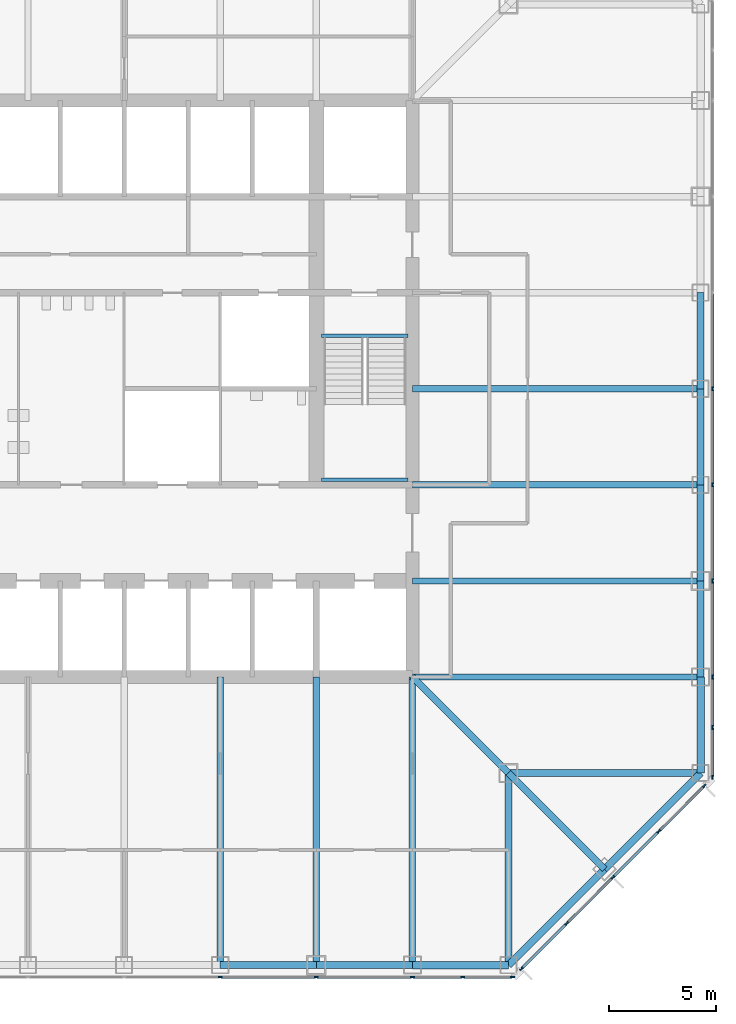
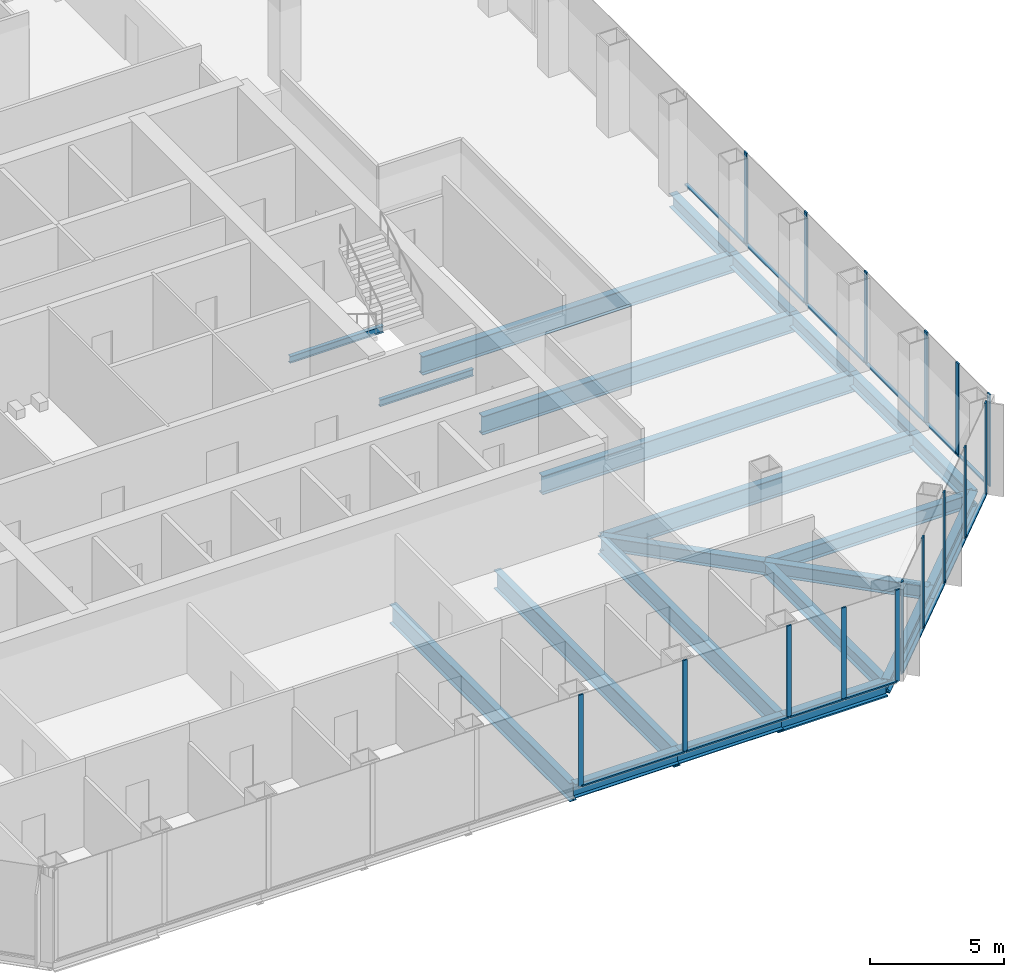
# One storey, part 4 of 13: 30 members, 23 beams, 3 elements without a shape of their own.
"""IFC4 building model written with IfcOpenShell, lengths in metres."""

import ifcopenshell
import ifcopenshell.guid

model = None  # the IFC model being written
_history = None  # IfcOwnerHistory: only IFC2X3 demands one
_inside = {}  # id of a spatial element -> (the spatial element, [elements in it])
_under = {}  # id of a project, library or spatial element -> (it, [spatial elements below it])
_declared = {}  # id of a project -> (the project, [libraries it declares])
_typed = {}  # id of a type object -> (the type object, [elements of that type])
_made_of = {}  # id of a material, layer set ... -> (it, [elements and type objects made of it])


def new_model(schema):
    """Start an empty IFC model of exactly this schema.

    Asked for "IFC4X3", IfcOpenShell would pick the latest addendum, in which some entities
    have other attributes; the version numbers below select the first issue.
    IFC2X3 requires an IfcOwnerHistory on every rooted entity: one is made here for all.
    """
    global model, _history
    if schema == "IFC4X3":
        model = ifcopenshell.file(schema_version=(4, 3, 0, 0))
    else:
        model = ifcopenshell.file(schema=schema)
    _inside.clear()
    _under.clear()
    _declared.clear()
    _typed.clear()
    _made_of.clear()
    _history = None
    if model.schema == "IFC2X3":
        org = make("IfcOrganization", Name="unknown")
        user = make(
            "IfcPersonAndOrganization",
            ThePerson=make("IfcPerson", FamilyName="unknown"),
            TheOrganization=org,
        )
        app = make(
            "IfcApplication",
            ApplicationDeveloper=org,
            Version="unknown",
            ApplicationFullName="unknown",
            ApplicationIdentifier="unknown",
        )
        _history = make(
            "IfcOwnerHistory",
            OwningUser=user,
            OwningApplication=app,
            ChangeAction="ADDED",
            CreationDate=0,
        )
    return model


def make(cls, **values):
    """One entity of the class cls with the attributes given. An attribute that is None is left unset."""
    return model.create_entity(
        cls, **{name: value for name, value in values.items() if value is not None}
    )


def rooted(cls, **values):
    """An entity with a GlobalId (a new one), such as an element, a storey or a relation."""
    return make(cls, GlobalId=ifcopenshell.guid.new(), OwnerHistory=_history, **values)


def si_unit(unit_type, name, prefix=None):
    """IfcSIUnit, for example si_unit("LENGTHUNIT", "METRE", prefix="MILLI")."""
    return make("IfcSIUnit", UnitType=unit_type, Prefix=prefix, Name=name)


def assignment(units):
    """IfcUnitAssignment: the units of a project."""
    return None if units is None else make("IfcUnitAssignment", Units=units)


def point(xyz):
    """IfcCartesianPoint."""
    return None if xyz is None else make("IfcCartesianPoint", Coordinates=xyz)


def direction(xyz):
    """IfcDirection."""
    return None if xyz is None else make("IfcDirection", DirectionRatios=xyz)


def frame(location, z_axis=None, x_axis=None):
    """IfcAxis2Placement3D, a coordinate frame: its origin and axes. An axis left out is left unset."""
    return make(
        "IfcAxis2Placement3D",
        Location=point(location),
        Axis=direction(z_axis),
        RefDirection=direction(x_axis),
    )


def frame_2d(location, x_axis=None):
    """IfcAxis2Placement2D, a coordinate frame in the plane: its origin and x axis."""
    return make(
        "IfcAxis2Placement2D", Location=point(location), RefDirection=direction(x_axis)
    )


def origin():
    """The frame at (0, 0, 0) with its axes left unset."""
    return frame((0.0, 0.0, 0.0))


def origin_2d():
    """The frame at (0, 0) in the plane with its x axis left unset."""
    return frame_2d((0.0, 0.0))


def place(relative_to, where):
    """IfcLocalPlacement: puts the frame where relative to a parent placement (None: the world)."""
    return make(
        "IfcLocalPlacement", PlacementRelTo=relative_to, RelativePlacement=where
    )


def context(
    kind, dimensions, precision=None, world=None, true_north=None, identifier=None
):
    """IfcGeometricRepresentationContext, for example the 3D "Model" context."""
    return make(
        "IfcGeometricRepresentationContext",
        ContextIdentifier=identifier,
        ContextType=kind,
        CoordinateSpaceDimension=dimensions,
        Precision=precision,
        WorldCoordinateSystem=world,
        TrueNorth=true_north,
    )


def subcontext(parent, identifier, kind, view, scale=None):
    """IfcGeometricRepresentationSubContext, for example "Body" below "Model"."""
    return make(
        "IfcGeometricRepresentationSubContext",
        ContextIdentifier=identifier,
        ContextType=kind,
        ParentContext=parent,
        TargetScale=scale,
        TargetView=view,
    )


def project(units=None, contexts=None):
    """IfcProject with its units and contexts."""
    return rooted(
        "IfcProject",
        Name="project",
        RepresentationContexts=contexts,
        UnitsInContext=assignment(units),
    )


def spatial(cls, under=None, at=None, **own):
    """A site, building, storey or space (cls), placed at a placement, below another one or the project."""
    s = rooted(cls, ObjectPlacement=at, **own)
    if under is not None:
        _under.setdefault(under.id(), (under, []))[1].append(s)
    return s


def profile(cls, at=None, kind="AREA", **sizes):
    """A parametric profile (cls). Its sizes go by their IFC names, for example OverallWidth=200.0."""
    return make(cls, ProfileType=kind, Position=at, **sizes)


def rectangle(**sizes):
    """IfcRectangleProfileDef."""
    return profile("IfcRectangleProfileDef", **sizes)


def i_section(**sizes):
    """IfcIShapeProfileDef."""
    return profile("IfcIShapeProfileDef", **sizes)


def extrude(swept, where, along, depth):
    """IfcExtrudedAreaSolid: the profile swept, set in the frame where, extruded along a direction by depth."""
    return make(
        "IfcExtrudedAreaSolid",
        SweptArea=swept,
        Position=where,
        ExtrudedDirection=direction(along),
        Depth=depth,
    )


def shape(context_of_items, identifier, shape_type, items):
    """IfcShapeRepresentation: the items that make up one representation, for example the "Body"."""
    return make(
        "IfcShapeRepresentation",
        ContextOfItems=context_of_items,
        RepresentationIdentifier=identifier,
        RepresentationType=shape_type,
        Items=items,
    )


def material(Name=None, Category=None):
    """IfcMaterial."""
    return make("IfcMaterial", Name=Name, Category=Category)


def material_profile(
    of_material, cross_section, Name=None, Category=None, Priority=None
):
    """IfcMaterialProfile: a cross section and its material."""
    return make(
        "IfcMaterialProfile",
        Name=Name,
        Material=of_material,
        Profile=cross_section,
        Priority=Priority,
        Category=Category,
    )


def profile_set(profiles, Name=None, composite=None):
    """IfcMaterialProfileSet."""
    return make(
        "IfcMaterialProfileSet",
        Name=Name,
        MaterialProfiles=profiles,
        CompositeProfile=composite,
    )


def made_of(thing, what):
    """Note that an element or type object is made of a material, layer set ...; save() writes the relation."""
    if what is not None:
        _made_of.setdefault(what.id(), (what, []))[1].append(thing)
    return thing


def type_object(cls, material=None, **own):
    """A type object (cls), such as IfcWallType, which elements share."""
    return made_of(rooted(cls, **own), material)


def element(
    cls,
    number,
    at=None,
    inside=None,
    cuts=None,
    type_object=None,
    material=None,
    context=None,
    identifier="Body",
    shape_type=None,
    held_by="IfcProductDefinitionShape",
    body=None,
    shapes=None,
    **own,
):
    """One element of the class cls, such as IfcWall. Its Tag is "e" and its number.

    at: its placement. inside: the storey or other place that contains it. cuts: it is an
    opening in that element (IfcRelVoidsElement). A single representation is given by context,
    identifier, shape_type and body (its items); several are given by shapes. held_by: the class
    of the entity that holds the representations. save() writes the other relations.
    """
    e = rooted(cls, Tag="e%d" % number, ObjectPlacement=at, **own)
    if body is not None:
        shapes = [shape(context, identifier, shape_type, body)]
    if shapes is not None:
        e.Representation = make(held_by, Representations=shapes)
    if inside is not None:
        _inside.setdefault(inside.id(), (inside, []))[1].append(e)
    if cuts is not None:
        rooted(
            "IfcRelVoidsElement", RelatingBuildingElement=cuts, RelatedOpeningElement=e
        )
    if type_object is not None:
        _typed.setdefault(type_object.id(), (type_object, []))[1].append(e)
    return made_of(e, material)


def aggregate(whole, parts):
    """IfcRelAggregates: a whole, such as a stair, and the parts it consists of."""
    return rooted("IfcRelAggregates", RelatingObject=whole, RelatedObjects=parts)


def save(model, path):
    """Write the relations noted so far, then the file.

    IfcRelAggregates (storeys below a building ...), IfcRelContainedInSpatialStructure (elements
    in a storey), IfcRelDefinesByType, IfcRelAssociatesMaterial and IfcRelDeclares: one each for
    every whole, place, type object, material and project.
    """
    for whole, parts in _under.values():
        aggregate(whole, parts)
    for where, things in _inside.values():
        rooted(
            "IfcRelContainedInSpatialStructure",
            RelatedElements=things,
            RelatingStructure=where,
        )
    for kind, things in _typed.values():
        rooted("IfcRelDefinesByType", RelatedObjects=things, RelatingType=kind)
    for what, things in _made_of.values():
        rooted("IfcRelAssociatesMaterial", RelatedObjects=things, RelatingMaterial=what)
    for by, libraries in _declared.values():
        rooted("IfcRelDeclares", RelatingContext=by, RelatedDefinitions=libraries)
    model.write(path)


model = new_model("IFC4")

# Units and contexts
model_context = context("Model", 3, precision=1e-05, world=origin(), true_north=direction((0.0, 1.0)))
body_context = subcontext(model_context, "Body", "Model", "MODEL_VIEW")
ifc_project = project(units=[si_unit("LENGTHUNIT", "METRE"), si_unit("AREAUNIT", "SQUARE_METRE"), si_unit("VOLUMEUNIT", "CUBIC_METRE"), si_unit("PLANEANGLEUNIT", "RADIAN"), si_unit("MASSUNIT", "GRAM", prefix="KILO")], contexts=[model_context])

# Site, building, storey
site_placement = place(None, origin())
site = spatial("IfcSite", under=ifc_project, at=site_placement, CompositionType="ELEMENT")
building_placement = place(site_placement, origin())
building = spatial("IfcBuilding", under=site, at=building_placement, Name="Corais Broadcast Tower", CompositionType="ELEMENT")
storey_placement = place(building_placement, frame((0.0, 0.0, 79.39990234375)))
storey = spatial("IfcBuildingStorey", under=building, at=storey_placement, Name="L17", CompositionType="ELEMENT", Elevation=79.39990234375)

# Beams
ifc_material_1 = material(Name="Steel ASTM A572 Grade 50", Category="steel")
ifc_material_profile_1 = material_profile(ifc_material_1, i_section(OverallWidth=0.323974609375, OverallDepth=0.611083984375, WebThickness=0.0126953125, FlangeThickness=0.01904296875, at=origin_2d()), Name="W610x155")
ifc_profile_set_1 = profile_set([ifc_material_profile_1], Name="Steel ASTM A572 Grade 50")
beam_type_1 = type_object("IfcBeamType", Name="Chamfer tie W610x155", PredefinedType="BEAM", material=ifc_profile_set_1)
beam_1_placement = place(storey_placement, frame((49.5, 4.5, -0.46533203125), z_axis=(-0.707106781187, 0.707106781187, 0.0), x_axis=(-0.707106781187, -0.707106781187, 0.0)))
element("IfcBeam", 1, at=beam_1_placement, inside=storey, type_object=beam_type_1, Name="B5 B/14 to C/13", PredefinedType="BEAM", context=body_context, shape_type="SweptSolid", body=[
    extrude(i_section(OverallWidth=0.323974609375, OverallDepth=0.611083984375, WebThickness=0.0126953125, FlangeThickness=0.01904296875, at=origin_2d()), origin(), (0.0, 0.0, 1.0), 6.364013671875),
])
ifc_material_2 = material(Name="Steel ASTM A572 Grade 50", Category="steel")
ifc_material_profile_2 = material_profile(ifc_material_2, i_section(OverallWidth=0.323974609375, OverallDepth=0.611083984375, WebThickness=0.0126953125, FlangeThickness=0.01904296875, at=origin_2d()), Name="W610x155")
ifc_profile_set_2 = profile_set([ifc_material_profile_2], Name="Steel ASTM A572 Grade 50")
beam_type_2 = type_object("IfcBeamType", Name="Corner diagonal W610x155", PredefinedType="BEAM", material=ifc_profile_set_2)
beam_2_placement = place(storey_placement, frame((45.0, 9.0, -0.46533203125), z_axis=(-0.707106781187, 0.707106781187, 0.0), x_axis=(-0.707106781187, -0.707106781187, 0.0)))
element("IfcBeam", 2, at=beam_2_placement, inside=storey, type_object=beam_type_2, Name="B6 C/13 to D/12", PredefinedType="BEAM", context=body_context, shape_type="SweptSolid", body=[
    extrude(i_section(OverallWidth=0.323974609375, OverallDepth=0.611083984375, WebThickness=0.0126953125, FlangeThickness=0.01904296875, at=origin_2d()), origin(), (0.0, 0.0, 1.0), 6.364013671875),
])
ifc_material_3 = material(Name="Steel ASTM A572 Grade 50", Category="steel")
ifc_material_profile_3 = material_profile(ifc_material_3, i_section(OverallWidth=0.323974609375, OverallDepth=0.611083984375, WebThickness=0.0126953125, FlangeThickness=0.01904296875, at=origin_2d()), Name="W610x155")
ifc_profile_set_3 = profile_set([ifc_material_profile_3], Name="Steel ASTM A572 Grade 50")
beam_type_3 = type_object("IfcBeamType", Name="Corner girder W610x155", PredefinedType="BEAM", material=ifc_profile_set_3)
for number, where, z_axis, x_axis, name in (
    (3, (45.0, 0.0, -0.46533203125), (0.0, 1.0, 0.0), (-1.0, 0.0, 0.0), "B4 A/13 to C/13"),
    (4, (54.0, 9.0, -0.46533203125), (-1.0, 0.0, 0.0), (0.0, -1.0, 0.0), "B4 C/15 to C/13"),
):
    element("IfcBeam", number, at=place(storey_placement, frame(where, z_axis=z_axis, x_axis=x_axis)), inside=storey, type_object=beam_type_3, Name=name, PredefinedType="BEAM", context=body_context, shape_type="SweptSolid", body=[
        extrude(i_section(OverallWidth=0.323974609375, OverallDepth=0.611083984375, WebThickness=0.0126953125, FlangeThickness=0.01904296875, at=origin_2d()), origin(), (0.0, 0.0, 1.0), 9.0),
    ])
ifc_material_4 = material(Name="Steel ASTM A913 Grade 65", Category="steel")
ifc_material_profile_4 = material_profile(ifc_material_4, i_section(OverallWidth=0.347900390625, OverallDepth=0.7109375, WebThickness=0.03857421875, FlangeThickness=0.069091796875, at=origin_2d()), Name="W610x551")
ifc_profile_set_4 = profile_set([ifc_material_profile_4], Name="Steel ASTM A913 Grade 65")
beam_type_4 = type_object("IfcBeamType", Name="Corner spandrel W610x551", PredefinedType="BEAM", material=ifc_profile_set_4)
for number, where, z_axis, x_axis, name in (
    (5, (40.5, 0.0, -0.515380859375), (1.0, 0.0, 0.0), (0.0, 1.0, 0.0), "SB11 A/12 to A/13"),
    (6, (54.0, 9.0, -0.515380859375), (0.0, 1.0, 0.0), (-1.0, 0.0, 0.0), "SB11 C/15 to D/15"),
):
    element("IfcBeam", number, at=place(storey_placement, frame(where, z_axis=z_axis, x_axis=x_axis)), inside=storey, type_object=beam_type_4, Name=name, PredefinedType="BEAM", context=body_context, shape_type="SweptSolid", body=[
        extrude(i_section(OverallWidth=0.347900390625, OverallDepth=0.7109375, WebThickness=0.03857421875, FlangeThickness=0.069091796875, at=origin_2d()), origin(), (0.0, 0.0, 1.0), 4.5),
    ])
ifc_material_5 = material(Name="Steel ASTM A572 Grade 50", Category="steel")
ifc_material_profile_5 = material_profile(ifc_material_5, i_section(OverallWidth=0.2939453125, OverallDepth=0.85107421875, WebThickness=0.01611328125, FlangeThickness=0.02685546875, at=origin_2d()), Name="W840x226")
ifc_profile_set_5 = profile_set([ifc_material_profile_5], Name="Steel ASTM A572 Grade 50")
beam_type_5 = type_object("IfcBeamType", Name="Floor beam W840x226", PredefinedType="BEAM", material=ifc_profile_set_5)
for number, where, z_axis, x_axis, name in (
    (7, (31.5, 0.0, -0.58544921875), (0.0, 1.0, 0.0), (-1.0, 0.0, 0.0), "B1 A/10 to D/10"),
    (8, (36.0, 0.0, -0.58544921875), (0.0, 1.0, 0.0), (-1.0, 0.0, 0.0), "B1 A/11 to D/11"),
    (9, (40.5, 0.0, -0.58544921875), (0.0, 1.0, 0.0), (-1.0, 0.0, 0.0), "B1 A/12 to D/12"),
    (10, (54.0, 13.5, -0.58544921875), (-1.0, 0.0, 0.0), (0.0, -1.0, 0.0), "B1 D/15 to D/12"),
    (11, (54.0, 18.0, -0.58544921875), (-1.0, 0.0, 0.0), (0.0, -1.0, 0.0), "B1 E/15 to E/12"),
    (12, (54.0, 22.5, -0.58544921875), (-1.0, 0.0, 0.0), (0.0, -1.0, 0.0), "B1 F/15 to F/12"),
    (13, (54.0, 27.0, -0.58544921875), (-1.0, 0.0, 0.0), (0.0, -1.0, 0.0), "B1 G/15 to G/12"),
):
    element("IfcBeam", number, at=place(storey_placement, frame(where, z_axis=z_axis, x_axis=x_axis)), inside=storey, type_object=beam_type_5, Name=name, PredefinedType="BEAM", context=body_context, shape_type="SweptSolid", body=[
        extrude(i_section(OverallWidth=0.2939453125, OverallDepth=0.85107421875, WebThickness=0.01611328125, FlangeThickness=0.02685546875, at=origin_2d()), origin(), (0.0, 0.0, 1.0), 13.5),
    ])
ifc_material_6 = material(Name="Steel ASTM A572 Grade 50", Category="steel")
ifc_material_profile_6 = material_profile(ifc_material_6, i_section(OverallWidth=0.1650390625, OverallDepth=0.31005859375, WebThickness=0.005859375, FlangeThickness=0.009765625, at=origin_2d()), Name="W310x38.7")
ifc_profile_set_6 = profile_set([ifc_material_profile_6], Name="Steel ASTM A572 Grade 50")
beam_type_6 = type_object("IfcBeamType", Name="Landing trimmer W310x38.7", PredefinedType="BEAM", material=ifc_profile_set_6)
for number, where, z_axis, x_axis, name in (
    (14, (36.25, 29.47509765625, -0.35498046875), (1.0, 0.0, 0.0), (0.0, 1.0, 0.0), "LT1 stair B landing trimmer L17"),
    (15, (36.25, 22.739990234375, 1.7451171875), (1.0, 0.0, 0.0), (0.0, 1.0, 0.0), "LT1 stair B half landing trimmer L17"),
):
    element("IfcBeam", number, at=place(storey_placement, frame(where, z_axis=z_axis, x_axis=x_axis)), inside=storey, type_object=beam_type_6, Name=name, PredefinedType="BEAM", context=body_context, shape_type="SweptSolid", body=[
        extrude(i_section(OverallWidth=0.1650390625, OverallDepth=0.31005859375, WebThickness=0.005859375, FlangeThickness=0.009765625, at=origin_2d()), origin(), (0.0, 0.0, 1.0), 4.050048828125),
    ])

# Curtain wall, members
ifc_material_7 = material(Name="Aluminium and glass", Category="aluminium")
curtain_wall_type = type_object("IfcCurtainWallType", Name="Unitised fritted curtain wall CW1", PredefinedType="NOTDEFINED", material=ifc_material_7)
curtain_wall_1_placement = place(storey_placement, origin())
curtain_wall_1 = element("IfcCurtainWall", 16, at=curtain_wall_1_placement, inside=storey, type_object=curtain_wall_type, Name="CW1 curtain wall L17 6", PredefinedType="NOTDEFINED")
ifc_material_8 = material(Name="Aluminium 6063-T6", Category="aluminium")
ifc_material_profile_7 = material_profile(ifc_material_8, rectangle(XDim=0.06494140625, YDim=0.199951171875, at=origin_2d()), Name="Mullion CW1 65x200")
ifc_profile_set_7 = profile_set([ifc_material_profile_7], Name="Aluminium 6063-T6")
member_type_1 = type_object("IfcMemberType", Name="Mullion CW1 65x200", PredefinedType="MULLION", material=ifc_profile_set_7)
member_1_placement = place(storey_placement, frame((54.550048828125, 27.0, 0.0), z_axis=(0.0, 0.0, 1.0), x_axis=(1.0, 0.0, 0.0)))
member_1 = element("IfcMember", 17, at=member_1_placement, type_object=member_type_1, Name="CW1 mullion 6", PredefinedType="MULLION", context=body_context, shape_type="SweptSolid", body=[
    extrude(rectangle(XDim=0.06494140625, YDim=0.199951171875, at=origin_2d()), origin(), (0.0, 0.0, 1.0), 4.2001953125),
])
member_2_placement = place(storey_placement, frame((54.550048828125, 22.5, 0.0), z_axis=(0.0, 0.0, 1.0), x_axis=(1.0, 0.0, 0.0)))
member_2 = element("IfcMember", 18, at=member_2_placement, type_object=member_type_1, Name="CW1 mullion 7", PredefinedType="MULLION", context=body_context, shape_type="SweptSolid", body=[
    extrude(rectangle(XDim=0.06494140625, YDim=0.199951171875, at=origin_2d()), origin(), (0.0, 0.0, 1.0), 4.2001953125),
])
member_3_placement = place(storey_placement, frame((54.550048828125, 18.0, 0.0), z_axis=(0.0, 0.0, 1.0), x_axis=(1.0, 0.0, 0.0)))
member_3 = element("IfcMember", 19, at=member_3_placement, type_object=member_type_1, Name="CW1 mullion 8", PredefinedType="MULLION", context=body_context, shape_type="SweptSolid", body=[
    extrude(rectangle(XDim=0.06494140625, YDim=0.199951171875, at=origin_2d()), origin(), (0.0, 0.0, 1.0), 4.2001953125),
])
member_4_placement = place(storey_placement, frame((54.550048828125, 13.5, 0.0), z_axis=(0.0, 0.0, 1.0), x_axis=(1.0, 0.0, 0.0)))
member_4 = element("IfcMember", 20, at=member_4_placement, type_object=member_type_1, Name="CW1 mullion 9", PredefinedType="MULLION", context=body_context, shape_type="SweptSolid", body=[
    extrude(rectangle(XDim=0.06494140625, YDim=0.199951171875, at=origin_2d()), origin(), (0.0, 0.0, 1.0), 4.2001953125),
])
member_5_placement = place(storey_placement, frame((54.550048828125, 11.135986328125, 0.0), z_axis=(0.0, 0.0, 1.0), x_axis=(1.0, 0.0, 0.0)))
member_5 = element("IfcMember", 21, at=member_5_placement, type_object=member_type_1, Name="CW1 mullion 10", PredefinedType="MULLION", context=body_context, shape_type="SweptSolid", body=[
    extrude(rectangle(XDim=0.06494140625, YDim=0.199951171875, at=origin_2d()), origin(), (0.0, 0.0, 1.0), 4.2001953125),
])
member_6_placement = place(storey_placement, frame((54.550048828125, 8.8046875, 0.0), z_axis=(0.0, 0.0, 1.0), x_axis=(1.0, 0.0, 0.0)))
member_6 = element("IfcMember", 22, at=member_6_placement, type_object=member_type_1, Name="CW1 mullion 11", PredefinedType="MULLION", context=body_context, shape_type="SweptSolid", body=[
    extrude(rectangle(XDim=0.06494140625, YDim=0.199951171875, at=origin_2d()), origin(), (0.0, 0.0, 1.0), 4.2001953125),
])

curtain_wall_2_placement = place(storey_placement, origin())
curtain_wall_2 = element("IfcCurtainWall", 23, at=curtain_wall_2_placement, inside=storey, type_object=curtain_wall_type, Name="CW1 curtain wall L17 7", PredefinedType="NOTDEFINED")
member_7_placement = place(storey_placement, frame((54.17333984375, 8.3955078125, 0.0), z_axis=(0.0, 0.0, 1.0), x_axis=(0.707106781187, -0.707106781187, 0.0)))
member_7 = element("IfcMember", 24, at=member_7_placement, type_object=member_type_1, Name="CW1 mullion 1", PredefinedType="MULLION", context=body_context, shape_type="SweptSolid", body=[
    extrude(rectangle(XDim=0.06494140625, YDim=0.199951171875, at=origin_2d()), origin(), (0.0, 0.0, 1.0), 4.2001953125),
])
member_8_placement = place(storey_placement, frame((52.042724609375, 6.264892578125, 0.0), z_axis=(0.0, 0.0, 1.0), x_axis=(0.707106781187, -0.707106781187, 0.0)))
member_8 = element("IfcMember", 25, at=member_8_placement, type_object=member_type_1, Name="CW1 mullion 2", PredefinedType="MULLION", context=body_context, shape_type="SweptSolid", body=[
    extrude(rectangle(XDim=0.06494140625, YDim=0.199951171875, at=origin_2d()), origin(), (0.0, 0.0, 1.0), 4.2001953125),
])
member_9_placement = place(storey_placement, frame((49.888916015625, 4.111083984375, 0.0), z_axis=(0.0, 0.0, 1.0), x_axis=(0.707106781187, -0.707106781187, 0.0)))
member_9 = element("IfcMember", 26, at=member_9_placement, type_object=member_type_1, Name="CW1 mullion 3", PredefinedType="MULLION", context=body_context, shape_type="SweptSolid", body=[
    extrude(rectangle(XDim=0.06494140625, YDim=0.199951171875, at=origin_2d()), origin(), (0.0, 0.0, 1.0), 4.2001953125),
])
member_10_placement = place(storey_placement, frame((47.735107421875, 1.957275390625, 0.0), z_axis=(0.0, 0.0, 1.0), x_axis=(0.707106781187, -0.707106781187, 0.0)))
member_10 = element("IfcMember", 27, at=member_10_placement, type_object=member_type_1, Name="CW1 mullion 4", PredefinedType="MULLION", context=body_context, shape_type="SweptSolid", body=[
    extrude(rectangle(XDim=0.06494140625, YDim=0.199951171875, at=origin_2d()), origin(), (0.0, 0.0, 1.0), 4.2001953125),
])
member_11_placement = place(storey_placement, frame((45.6044921875, -0.17333984375, 0.0), z_axis=(0.0, 0.0, 1.0), x_axis=(0.707106781187, -0.707106781187, 0.0)))
member_11 = element("IfcMember", 28, at=member_11_placement, type_object=member_type_1, Name="CW1 mullion 5", PredefinedType="MULLION", context=body_context, shape_type="SweptSolid", body=[
    extrude(rectangle(XDim=0.06494140625, YDim=0.199951171875, at=origin_2d()), origin(), (0.0, 0.0, 1.0), 4.2001953125),
])

curtain_wall_3_placement = place(storey_placement, origin())
curtain_wall_3 = element("IfcCurtainWall", 29, at=curtain_wall_3_placement, inside=storey, type_object=curtain_wall_type, Name="CW1 curtain wall L17 8", PredefinedType="NOTDEFINED")
member_12_placement = place(storey_placement, frame((45.1953125, -0.550048828125, 0.0), z_axis=(0.0, 0.0, 1.0), x_axis=(0.0, -1.0, 0.0)))
member_12 = element("IfcMember", 30, at=member_12_placement, type_object=member_type_1, Name="CW1 mullion 1", PredefinedType="MULLION", context=body_context, shape_type="SweptSolid", body=[
    extrude(rectangle(XDim=0.06494140625, YDim=0.199951171875, at=origin_2d()), origin(), (0.0, 0.0, 1.0), 4.2001953125),
])
member_13_placement = place(storey_placement, frame((42.864013671875, -0.550048828125, 0.0), z_axis=(0.0, 0.0, 1.0), x_axis=(0.0, -1.0, 0.0)))
member_13 = element("IfcMember", 31, at=member_13_placement, type_object=member_type_1, Name="CW1 mullion 2", PredefinedType="MULLION", context=body_context, shape_type="SweptSolid", body=[
    extrude(rectangle(XDim=0.06494140625, YDim=0.199951171875, at=origin_2d()), origin(), (0.0, 0.0, 1.0), 4.2001953125),
])
member_14_placement = place(storey_placement, frame((40.5, -0.550048828125, 0.0), z_axis=(0.0, 0.0, 1.0), x_axis=(0.0, -1.0, 0.0)))
member_14 = element("IfcMember", 32, at=member_14_placement, type_object=member_type_1, Name="CW1 mullion 3", PredefinedType="MULLION", context=body_context, shape_type="SweptSolid", body=[
    extrude(rectangle(XDim=0.06494140625, YDim=0.199951171875, at=origin_2d()), origin(), (0.0, 0.0, 1.0), 4.2001953125),
])
member_15_placement = place(storey_placement, frame((36.0, -0.550048828125, 0.0), z_axis=(0.0, 0.0, 1.0), x_axis=(0.0, -1.0, 0.0)))
member_15 = element("IfcMember", 33, at=member_15_placement, type_object=member_type_1, Name="CW1 mullion 4", PredefinedType="MULLION", context=body_context, shape_type="SweptSolid", body=[
    extrude(rectangle(XDim=0.06494140625, YDim=0.199951171875, at=origin_2d()), origin(), (0.0, 0.0, 1.0), 4.2001953125),
])
member_16_placement = place(storey_placement, frame((31.5, -0.550048828125, 0.0), z_axis=(0.0, 0.0, 1.0), x_axis=(0.0, -1.0, 0.0)))
member_16 = element("IfcMember", 34, at=member_16_placement, type_object=member_type_1, Name="CW1 mullion 5", PredefinedType="MULLION", context=body_context, shape_type="SweptSolid", body=[
    extrude(rectangle(XDim=0.06494140625, YDim=0.199951171875, at=origin_2d()), origin(), (0.0, 0.0, 1.0), 4.2001953125),
])

# Beams
ifc_material_9 = material(Name="Steel ASTM A572 Grade 50", Category="steel")
ifc_material_profile_8 = material_profile(ifc_material_9, i_section(OverallWidth=0.3291015625, OverallDepth=0.635009765625, WebThickness=0.017822265625, FlangeThickness=0.031005859375, at=origin_2d()), Name="W610x241")
ifc_profile_set_8 = profile_set([ifc_material_profile_8], Name="Steel ASTM A572 Grade 50")
beam_type_7 = type_object("IfcBeamType", Name="Spandrel W610x241", PredefinedType="BEAM", material=ifc_profile_set_8)
for number, where, z_axis, x_axis, name in (
    (35, (31.5, 0.0, -0.477294921875), (1.0, 0.0, 0.0), (0.0, 1.0, 0.0), "SB1 A/10 to A/11"),
    (36, (36.0, 0.0, -0.477294921875), (1.0, 0.0, 0.0), (0.0, 1.0, 0.0), "SB1 A/11 to A/12"),
):
    element("IfcBeam", number, at=place(storey_placement, frame(where, z_axis=z_axis, x_axis=x_axis)), inside=storey, type_object=beam_type_7, Name=name, PredefinedType="BEAM", context=body_context, shape_type="SweptSolid", body=[
        extrude(i_section(OverallWidth=0.3291015625, OverallDepth=0.635009765625, WebThickness=0.017822265625, FlangeThickness=0.031005859375, at=origin_2d()), origin(), (0.0, 0.0, 1.0), 4.5),
    ])
for number, where, z_axis, x_axis, name in (
    (37, (45.0, 0.0, -0.477294921875), (0.707106781187, 0.707106781187, 0.0), (-0.707106781187, 0.707106781187, 0.0), "SB1 A/13 to B/14"),
    (38, (49.5, 4.5, -0.477294921875), (0.707106781187, 0.707106781187, 0.0), (-0.707106781187, 0.707106781187, 0.0), "SB1 B/14 to C/15"),
):
    element("IfcBeam", number, at=place(storey_placement, frame(where, z_axis=z_axis, x_axis=x_axis)), inside=storey, type_object=beam_type_7, Name=name, PredefinedType="BEAM", context=body_context, shape_type="SweptSolid", body=[
        extrude(i_section(OverallWidth=0.3291015625, OverallDepth=0.635009765625, WebThickness=0.017822265625, FlangeThickness=0.031005859375, at=origin_2d()), origin(), (0.0, 0.0, 1.0), 6.364013671875),
    ])
for number, where, z_axis, x_axis, name in (
    (39, (54.0, 13.5, -0.477294921875), (0.0, 1.0, 0.0), (-1.0, 0.0, 0.0), "SB1 D/15 to E/15"),
    (40, (54.0, 18.0, -0.477294921875), (0.0, 1.0, 0.0), (-1.0, 0.0, 0.0), "SB1 E/15 to F/15"),
    (41, (54.0, 22.5, -0.477294921875), (0.0, 1.0, 0.0), (-1.0, 0.0, 0.0), "SB1 F/15 to G/15"),
    (42, (54.0, 27.0, -0.477294921875), (0.0, 1.0, 0.0), (-1.0, 0.0, 0.0), "SB1 G/15 to H/15"),
):
    element("IfcBeam", number, at=place(storey_placement, frame(where, z_axis=z_axis, x_axis=x_axis)), inside=storey, type_object=beam_type_7, Name=name, PredefinedType="BEAM", context=body_context, shape_type="SweptSolid", body=[
        extrude(i_section(OverallWidth=0.3291015625, OverallDepth=0.635009765625, WebThickness=0.017822265625, FlangeThickness=0.031005859375, at=origin_2d()), origin(), (0.0, 0.0, 1.0), 4.5),
    ])

# Member
ifc_material_10 = material(Name="Aluminium 6063-T6", Category="aluminium")
ifc_material_profile_9 = material_profile(ifc_material_10, rectangle(XDim=0.139892578125, YDim=0.06494140625, at=origin_2d()), Name="Transom CW1 65x140")
ifc_profile_set_9 = profile_set([ifc_material_profile_9], Name="Aluminium 6063-T6")
member_type_2 = type_object("IfcMemberType", Name="Transom CW1 65x140", PredefinedType="USERDEFINED", material=ifc_profile_set_9)
member_17_placement = place(storey_placement, frame((54.550048828125, 31.467529296875, 0.03271484375), z_axis=(0.0, -1.0, 0.0), x_axis=(1.0, 0.0, 0.0)))
member_17 = element("IfcMember", 43, at=member_17_placement, type_object=member_type_2, Name="CW1 transom 5.1", ObjectType="TRANSOM", PredefinedType="USERDEFINED", context=body_context, shape_type="SweptSolid", body=[
    extrude(rectangle(XDim=0.139892578125, YDim=0.06494140625, at=origin_2d()), origin(), (0.0, 0.0, 1.0), 4.43505859375),
])

member_18_placement = place(storey_placement, frame((54.550048828125, 26.967529296875, 0.03271484375), z_axis=(0.0, -1.0, 0.0), x_axis=(1.0, 0.0, 0.0)))
member_18 = element("IfcMember", 44, at=member_18_placement, type_object=member_type_2, Name="CW1 transom 6.1", ObjectType="TRANSOM", PredefinedType="USERDEFINED", context=body_context, shape_type="SweptSolid", body=[
    extrude(rectangle(XDim=0.139892578125, YDim=0.06494140625, at=origin_2d()), origin(), (0.0, 0.0, 1.0), 4.43505859375),
])

member_19_placement = place(storey_placement, frame((54.550048828125, 22.467529296875, 0.03271484375), z_axis=(0.0, -1.0, 0.0), x_axis=(1.0, 0.0, 0.0)))
member_19 = element("IfcMember", 45, at=member_19_placement, type_object=member_type_2, Name="CW1 transom 7.1", ObjectType="TRANSOM", PredefinedType="USERDEFINED", context=body_context, shape_type="SweptSolid", body=[
    extrude(rectangle(XDim=0.139892578125, YDim=0.06494140625, at=origin_2d()), origin(), (0.0, 0.0, 1.0), 4.43505859375),
])

member_20_placement = place(storey_placement, frame((54.550048828125, 17.967529296875, 0.03271484375), z_axis=(0.0, -1.0, 0.0), x_axis=(1.0, 0.0, 0.0)))
member_20 = element("IfcMember", 46, at=member_20_placement, type_object=member_type_2, Name="CW1 transom 8.1", ObjectType="TRANSOM", PredefinedType="USERDEFINED", context=body_context, shape_type="SweptSolid", body=[
    extrude(rectangle(XDim=0.139892578125, YDim=0.06494140625, at=origin_2d()), origin(), (0.0, 0.0, 1.0), 4.43505859375),
])

member_21_placement = place(storey_placement, frame((54.550048828125, 13.467529296875, 0.03271484375), z_axis=(0.0, -1.0, 0.0), x_axis=(1.0, 0.0, 0.0)))
member_21 = element("IfcMember", 47, at=member_21_placement, type_object=member_type_2, Name="CW1 transom 9.1", ObjectType="TRANSOM", PredefinedType="USERDEFINED", context=body_context, shape_type="SweptSolid", body=[
    extrude(rectangle(XDim=0.139892578125, YDim=0.06494140625, at=origin_2d()), origin(), (0.0, 0.0, 1.0), 2.298828125),
])

member_22_placement = place(storey_placement, frame((54.550048828125, 11.103515625, 0.03271484375), z_axis=(0.0, -1.0, 0.0), x_axis=(1.0, 0.0, 0.0)))
member_22 = element("IfcMember", 48, at=member_22_placement, type_object=member_type_2, Name="CW1 transom 10.1", ObjectType="TRANSOM", PredefinedType="USERDEFINED", context=body_context, shape_type="SweptSolid", body=[
    extrude(rectangle(XDim=0.139892578125, YDim=0.06494140625, at=origin_2d()), origin(), (0.0, 0.0, 1.0), 2.266357421875),
])

aggregate(curtain_wall_1, [member_1, member_2, member_3, member_4, member_5, member_6, member_17, member_18, member_19, member_20, member_21, member_22])

member_23_placement = place(storey_placement, frame((54.150390625, 8.37255859375, 0.03271484375), z_axis=(-0.707106781187, -0.707106781187, 0.0), x_axis=(0.707106781187, -0.707106781187, 0.0)))
member_23 = element("IfcMember", 49, at=member_23_placement, type_object=member_type_2, Name="CW1 transom 1.1", ObjectType="TRANSOM", PredefinedType="USERDEFINED", context=body_context, shape_type="SweptSolid", body=[
    extrude(rectangle(XDim=0.139892578125, YDim=0.06494140625, at=origin_2d()), origin(), (0.0, 0.0, 1.0), 2.9482421875),
])

member_24_placement = place(storey_placement, frame((52.019775390625, 6.241943359375, 0.03271484375), z_axis=(-0.707106781187, -0.707106781187, 0.0), x_axis=(0.707106781187, -0.707106781187, 0.0)))
member_24 = element("IfcMember", 50, at=member_24_placement, type_object=member_type_2, Name="CW1 transom 2.1", ObjectType="TRANSOM", PredefinedType="USERDEFINED", context=body_context, shape_type="SweptSolid", body=[
    extrude(rectangle(XDim=0.139892578125, YDim=0.06494140625, at=origin_2d()), origin(), (0.0, 0.0, 1.0), 2.98095703125),
])

member_25_placement = place(storey_placement, frame((49.865966796875, 4.088134765625, 0.03271484375), z_axis=(-0.707106781187, -0.707106781187, 0.0), x_axis=(0.707106781187, -0.707106781187, 0.0)))
member_25 = element("IfcMember", 51, at=member_25_placement, type_object=member_type_2, Name="CW1 transom 3.1", ObjectType="TRANSOM", PredefinedType="USERDEFINED", context=body_context, shape_type="SweptSolid", body=[
    extrude(rectangle(XDim=0.139892578125, YDim=0.06494140625, at=origin_2d()), origin(), (0.0, 0.0, 1.0), 2.98095703125),
])

member_26_placement = place(storey_placement, frame((47.712158203125, 1.934326171875, 0.03271484375), z_axis=(-0.707106781187, -0.707106781187, 0.0), x_axis=(0.707106781187, -0.707106781187, 0.0)))
member_26 = element("IfcMember", 52, at=member_26_placement, type_object=member_type_2, Name="CW1 transom 4.1", ObjectType="TRANSOM", PredefinedType="USERDEFINED", context=body_context, shape_type="SweptSolid", body=[
    extrude(rectangle(XDim=0.139892578125, YDim=0.06494140625, at=origin_2d()), origin(), (0.0, 0.0, 1.0), 2.9482421875),
])

aggregate(curtain_wall_2, [member_7, member_8, member_9, member_10, member_11, member_23, member_24, member_25, member_26])

member_27_placement = place(storey_placement, frame((45.162841796875, -0.550048828125, 0.03271484375), z_axis=(-1.0, 0.0, 0.0), x_axis=(0.0, -1.0, 0.0)))
member_27 = element("IfcMember", 53, at=member_27_placement, type_object=member_type_2, Name="CW1 transom 1.1", ObjectType="TRANSOM", PredefinedType="USERDEFINED", context=body_context, shape_type="SweptSolid", body=[
    extrude(rectangle(XDim=0.139892578125, YDim=0.06494140625, at=origin_2d()), origin(), (0.0, 0.0, 1.0), 2.266357421875),
])

member_28_placement = place(storey_placement, frame((42.831298828125, -0.550048828125, 0.03271484375), z_axis=(-1.0, 0.0, 0.0), x_axis=(0.0, -1.0, 0.0)))
member_28 = element("IfcMember", 54, at=member_28_placement, type_object=member_type_2, Name="CW1 transom 2.1", ObjectType="TRANSOM", PredefinedType="USERDEFINED", context=body_context, shape_type="SweptSolid", body=[
    extrude(rectangle(XDim=0.139892578125, YDim=0.06494140625, at=origin_2d()), origin(), (0.0, 0.0, 1.0), 2.298828125),
])

member_29_placement = place(storey_placement, frame((40.467529296875, -0.550048828125, 0.03271484375), z_axis=(-1.0, 0.0, 0.0), x_axis=(0.0, -1.0, 0.0)))
member_29 = element("IfcMember", 55, at=member_29_placement, type_object=member_type_2, Name="CW1 transom 3.1", ObjectType="TRANSOM", PredefinedType="USERDEFINED", context=body_context, shape_type="SweptSolid", body=[
    extrude(rectangle(XDim=0.139892578125, YDim=0.06494140625, at=origin_2d()), origin(), (0.0, 0.0, 1.0), 4.43505859375),
])

member_30_placement = place(storey_placement, frame((35.967529296875, -0.550048828125, 0.03271484375), z_axis=(-1.0, 0.0, 0.0), x_axis=(0.0, -1.0, 0.0)))
member_30 = element("IfcMember", 56, at=member_30_placement, type_object=member_type_2, Name="CW1 transom 4.1", ObjectType="TRANSOM", PredefinedType="USERDEFINED", context=body_context, shape_type="SweptSolid", body=[
    extrude(rectangle(XDim=0.139892578125, YDim=0.06494140625, at=origin_2d()), origin(), (0.0, 0.0, 1.0), 4.43505859375),
])

aggregate(curtain_wall_3, [member_12, member_13, member_14, member_15, member_16, member_27, member_28, member_29, member_30])

save(model, "model.ifc")
